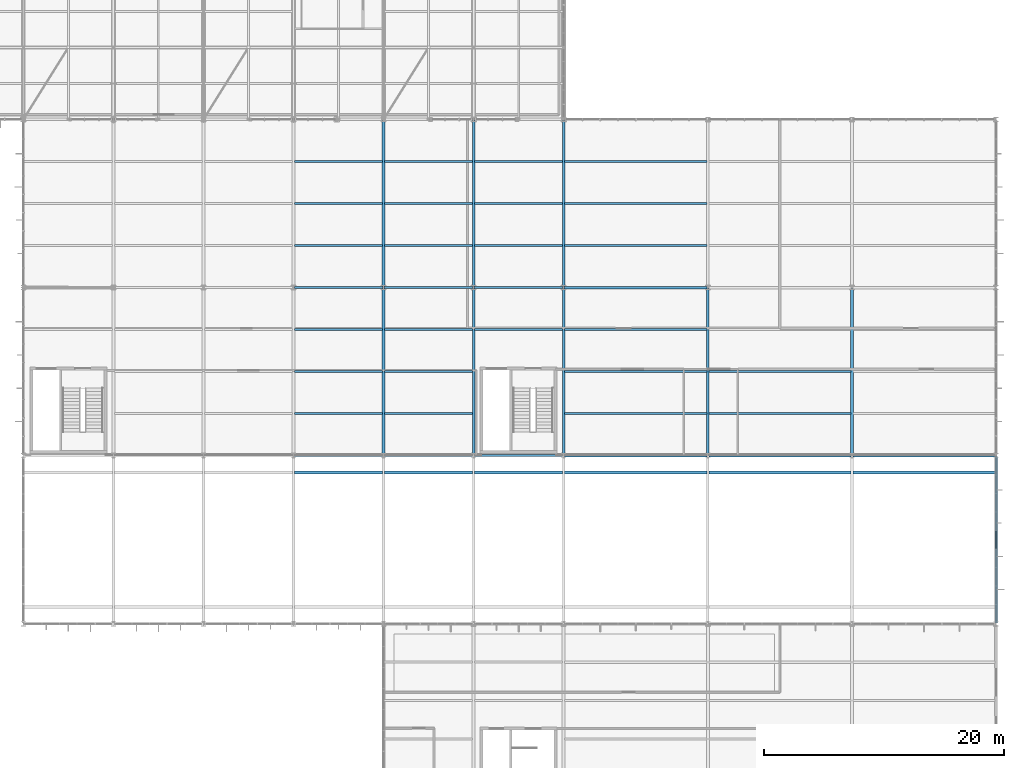
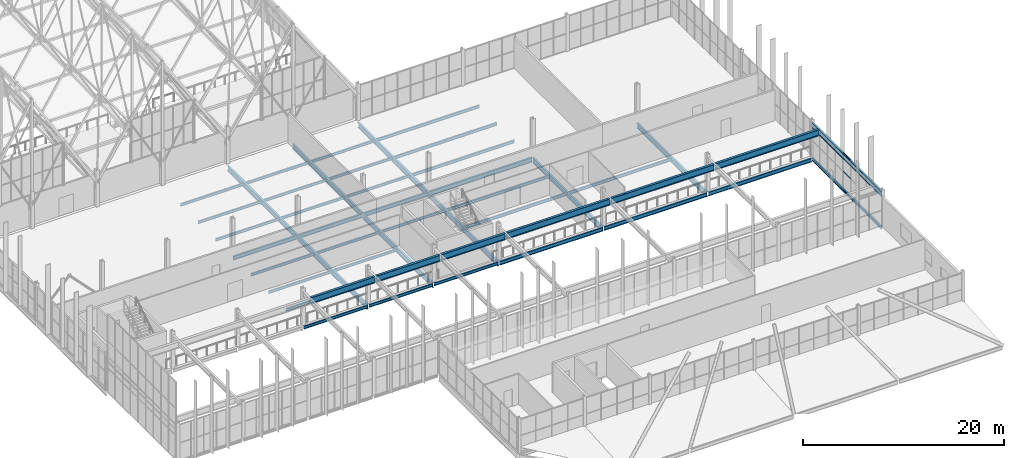
# One storey, part 200 of 324: 50 beams, 3 members, 1 element without a shape of its own.
"""IFC4 building model written with IfcOpenShell, lengths in metres."""

from ifc_helpers import new_model, si_unit, direction, frame, origin, origin_2d, place, context, subcontext, project, spatial, hollow_rectangle, i_section, extrude, material, layer, layer_set, material_profile, profile_set, type_object, element, aggregate, save


model = new_model("IFC4")

# Units and contexts
model_context = context("Model", 3, precision=1e-05, world=origin(), true_north=direction((0.0, 1.0)))
body_context = subcontext(model_context, "Body", "Model", "MODEL_VIEW")
ifc_project = project(units=[si_unit("LENGTHUNIT", "METRE"), si_unit("AREAUNIT", "SQUARE_METRE"), si_unit("VOLUMEUNIT", "CUBIC_METRE"), si_unit("PLANEANGLEUNIT", "RADIAN"), si_unit("MASSUNIT", "GRAM", prefix="KILO")], contexts=[model_context])

# Site, building, storey
site_placement = place(None, origin())
site = spatial("IfcSite", under=ifc_project, at=site_placement, CompositionType="ELEMENT")
building_placement = place(site_placement, origin())
building = spatial("IfcBuilding", under=site, at=building_placement, Name="Solvenia Promenade Tram Depot", CompositionType="ELEMENT")
storey_placement = place(building_placement, frame((0.0, 0.0, 4.5)))
storey = spatial("IfcBuildingStorey", under=building, at=storey_placement, Name="L01", CompositionType="ELEMENT", Elevation=4.5)

# Beams
ifc_material_1 = material(Name="Structural steel ASTM A992 Gr. 50", Category="steel")
ifc_material_profile_1 = material_profile(ifc_material_1, i_section(OverallWidth=0.19091796875, OverallDepth=0.4599609375, WebThickness=0.010009765625, FlangeThickness=0.01611328125, FilletRadius=0.012939453125, at=origin_2d()), Name="W460x82", Category="steel")
ifc_profile_set_1 = profile_set([ifc_material_profile_1], Name="Structural steel ASTM A992 Gr. 50")
beam_type_1 = type_object("IfcBeamType", Name="Beam-W460x82", PredefinedType="BEAM", material=ifc_profile_set_1)
for number, where, z_axis, x_axis, name in (
    (1, (127.5849609375, 52.0, -0.469970703125), (1.0, 0.0, 0.0), (0.0, 1.0, 0.0), "Primary Girder BM-L01-0132"),
    (2, (135.0849609375, 52.0, -0.469970703125), (1.0, 0.0, 0.0), (0.0, 1.0, 0.0), "Primary Girder BM-L01-0133"),
    (3, (142.5849609375, 52.0, -0.469970703125), (1.0, 0.0, 0.0), (0.0, 1.0, 0.0), "Primary Girder BM-L01-0134"),
):
    element("IfcBeam", number, at=place(storey_placement, frame(where, z_axis=z_axis, x_axis=x_axis)), inside=storey, type_object=beam_type_1, Name=name, PredefinedType="BEAM", context=body_context, shape_type="SweptSolid", body=[
        extrude(i_section(OverallWidth=0.19091796875, OverallDepth=0.4599609375, WebThickness=0.010009765625, FlangeThickness=0.01611328125, FilletRadius=0.012939453125, at=origin_2d()), origin(), (0.0, 0.0, 1.0), 7.330078125),
    ])

# Curtain wall, members
ifc_material_2 = material(Name="Anodized aluminium AW-6063 T6", Category="aluminium")
ifc_layer = layer(ifc_material_2, 0.080078125, Name="Anodized aluminium AW-6063 T6", Category="aluminium")
ifc_layer_set = layer_set([ifc_layer], Name="Anodized aluminium AW-6063 T6")
curtain_wall_type = type_object("IfcCurtainWallType", Name="CW-Clerest-1500", PredefinedType="NOTDEFINED", material=ifc_layer_set)
curtain_wall_placement = place(storey_placement, origin())
curtain_wall = element("IfcCurtainWall", 4, at=curtain_wall_placement, inside=storey, type_object=curtain_wall_type, Name="Curtain Wall CW-V2E-L1-1", PredefinedType="NOTDEFINED")
ifc_material_profile_2 = material_profile(ifc_material_2, hollow_rectangle(XDim=0.110107421875, YDim=0.054931640625, WallThickness=0.00390625, at=origin_2d()), Name="ALU-T4", Category="aluminium")
ifc_profile_set_2 = profile_set([ifc_material_profile_2], Name="Anodized aluminium AW-6063 T6")
member_type = type_object("IfcMemberType", Name="CWT-Transom-4", PredefinedType="USERDEFINED", material=ifc_profile_set_2)
member_1_placement = place(storey_placement, frame((186.0, 30.258544921875, -0.322509765625), z_axis=(0.0, 1.0, 0.0), x_axis=(-1.0, 0.0, 0.0)))
member_1 = element("IfcMember", 5, at=member_1_placement, type_object=member_type, Name="CW-4 transom 5.1", ObjectType="TRANSOM", PredefinedType="USERDEFINED", context=body_context, shape_type="SweptSolid", body=[
    extrude(hollow_rectangle(XDim=0.110107421875, YDim=0.054931640625, WallThickness=0.00390625, at=origin_2d()), origin(), (0.0, 0.0, 1.0), 1.48291015625),
])
member_2_placement = place(storey_placement, frame((186.0, 30.258544921875, 1.89990234375), z_axis=(0.0, 1.0, 0.0), x_axis=(-1.0, 0.0, 0.0)))
member_2 = element("IfcMember", 6, at=member_2_placement, type_object=member_type, Name="CW-4 transom 5.2", ObjectType="TRANSOM", PredefinedType="USERDEFINED", context=body_context, shape_type="SweptSolid", body=[
    extrude(hollow_rectangle(XDim=0.110107421875, YDim=0.054931640625, WallThickness=0.00390625, at=origin_2d()), origin(), (0.0, 0.0, 1.0), 1.48291015625),
])
member_3_placement = place(storey_placement, frame((186.0, 30.258544921875, 4.172607421875), z_axis=(0.0, 1.0, 0.0), x_axis=(-1.0, 0.0, 0.0)))
member_3 = element("IfcMember", 7, at=member_3_placement, type_object=member_type, Name="CW-4 transom 5.3", ObjectType="TRANSOM", PredefinedType="USERDEFINED", context=body_context, shape_type="SweptSolid", body=[
    extrude(hollow_rectangle(XDim=0.110107421875, YDim=0.054931640625, WallThickness=0.00390625, at=origin_2d()), origin(), (0.0, 0.0, 1.0), 1.48291015625),
])
aggregate(curtain_wall, [member_1, member_2, member_3])

# Beams
ifc_material_profile_3 = material_profile(ifc_material_1, i_section(OverallWidth=0.2099609375, OverallDepth=0.537109375, WebThickness=0.010986328125, FlangeThickness=0.017333984375, FilletRadius=0.013916015625, at=origin_2d()), Name="W530x101", Category="steel")
ifc_profile_set_3 = profile_set([ifc_material_profile_3], Name="Structural steel ASTM A992 Gr. 50")
beam_type_2 = type_object("IfcBeamType", Name="Gird-W530x101", PredefinedType="BEAM", material=ifc_profile_set_3)
beam_1_placement = place(storey_placement, frame((150.0849609375, 52.0, -0.508544921875), z_axis=(1.0, 0.0, 0.0), x_axis=(0.0, 1.0, 0.0)))
element("IfcBeam", 8, at=beam_1_placement, inside=storey, type_object=beam_type_2, Name="Primary Girder BM-L01-0135", PredefinedType="BEAM", context=body_context, shape_type="SweptSolid", body=[
    extrude(i_section(OverallWidth=0.2099609375, OverallDepth=0.537109375, WebThickness=0.010986328125, FlangeThickness=0.017333984375, FilletRadius=0.013916015625, at=origin_2d()), origin(), (0.0, 0.0, 1.0), 11.830078125),
])
ifc_material_profile_4 = material_profile(ifc_material_1, i_section(OverallWidth=0.22900390625, OverallDepth=0.612060546875, WebThickness=0.011962890625, FlangeThickness=0.01953125, FilletRadius=0.014892578125, at=origin_2d()), Name="W610x125", Category="steel")
ifc_profile_set_4 = profile_set([ifc_material_profile_4], Name="Structural steel ASTM A992 Gr. 50")
beam_type_3 = type_object("IfcBeamType", Name="Gird-W610x125", PredefinedType="BEAM", material=ifc_profile_set_4)
for number, where, z_axis, x_axis, name in (
    (9, (135.0, 38.0849609375, -0.5458984375), (0.0, 1.0, 0.0), (-1.0, 0.0, 0.0), "Transverse Girder BM-L01-0149"),
    (10, (135.0, 52.0849609375, -0.5458984375), (0.0, 1.0, 0.0), (-1.0, 0.0, 0.0), "Transverse Girder BM-L01-0150"),
    (11, (142.5, 38.0849609375, -0.5458984375), (0.0, 1.0, 0.0), (-1.0, 0.0, 0.0), "Transverse Girder BM-L01-0151"),
    (12, (142.5, 52.0849609375, -0.5458984375), (0.0, 1.0, 0.0), (-1.0, 0.0, 0.0), "Transverse Girder BM-L01-0152"),
    (13, (150.0, 38.0849609375, -0.5458984375), (0.0, 1.0, 0.0), (-1.0, 0.0, 0.0), "Transverse Girder BM-L01-0153"),
    (14, (150.0, 52.0849609375, -0.5458984375), (0.0, 1.0, 0.0), (-1.0, 0.0, 0.0), "Transverse Girder BM-L01-0154"),
    (15, (162.0, 38.0849609375, -0.5458984375), (0.0, 1.0, 0.0), (-1.0, 0.0, 0.0), "Transverse Girder BM-L01-0155"),
    (16, (174.0, 38.0849609375, -0.5458984375), (0.0, 1.0, 0.0), (-1.0, 0.0, 0.0), "Transverse Girder BM-L01-0157"),
    (17, (186.0, 24.0849609375, 3.7939453125), (0.0, 1.0, 0.0), (-1.0, 0.0, 0.0), "Crane Hall Cross Bearer BM-L01-0915"),
):
    element("IfcBeam", number, at=place(storey_placement, frame(where, z_axis=z_axis, x_axis=x_axis)), inside=storey, type_object=beam_type_3, Name=name, PredefinedType="BEAM", context=body_context, shape_type="SweptSolid", body=[
        extrude(i_section(OverallWidth=0.22900390625, OverallDepth=0.612060546875, WebThickness=0.011962890625, FlangeThickness=0.01953125, FilletRadius=0.014892578125, at=origin_2d()), origin(), (0.0, 0.0, 1.0), 13.830078125),
    ])
ifc_material_profile_5 = material_profile(ifc_material_1, i_section(OverallWidth=0.26708984375, OverallDepth=0.761962890625, WebThickness=0.014404296875, FlangeThickness=0.021484375, FilletRadius=0.01806640625, at=origin_2d()), Name="W760x173", Category="steel")
ifc_profile_set_5 = profile_set([ifc_material_profile_5], Name="Structural steel ASTM A992 Gr. 50")
beam_type_4 = type_object("IfcBeamType", Name="Gird-W760x173", PredefinedType="BEAM", material=ifc_profile_set_5)
for number, where, z_axis, x_axis, name in (
    (18, (127.5849609375, 36.60009765625, 3.718994140625), (1.0, 0.0, 0.0), (0.0, 1.0, 0.0), "Bridge Crane Runway Girder BM-L01-0928"),
    (19, (135.0849609375, 36.60009765625, 3.718994140625), (1.0, 0.0, 0.0), (0.0, 1.0, 0.0), "Bridge Crane Runway Girder BM-L01-0929"),
    (20, (142.5849609375, 36.60009765625, 3.718994140625), (1.0, 0.0, 0.0), (0.0, 1.0, 0.0), "Bridge Crane Runway Girder BM-L01-0930"),
):
    element("IfcBeam", number, at=place(storey_placement, frame(where, z_axis=z_axis, x_axis=x_axis)), inside=storey, type_object=beam_type_4, Name=name, PredefinedType="BEAM", context=body_context, shape_type="SweptSolid", body=[
        extrude(i_section(OverallWidth=0.26708984375, OverallDepth=0.761962890625, WebThickness=0.014404296875, FlangeThickness=0.021484375, FilletRadius=0.01806640625, at=origin_2d()), origin(), (0.0, 0.0, 1.0), 7.330078125),
    ])
for number, where, z_axis, x_axis, name in (
    (21, (150.0849609375, 36.60009765625, 3.718994140625), (1.0, 0.0, 0.0), (0.0, 1.0, 0.0), "Bridge Crane Runway Girder BM-L01-0931"),
    (22, (162.0849609375, 36.60009765625, 3.718994140625), (1.0, 0.0, 0.0), (0.0, 1.0, 0.0), "Bridge Crane Runway Girder BM-L01-0932"),
    (23, (174.0849609375, 36.60009765625, 3.718994140625), (1.0, 0.0, 0.0), (0.0, 1.0, 0.0), "Bridge Crane Runway Girder BM-L01-0933"),
):
    element("IfcBeam", number, at=place(storey_placement, frame(where, z_axis=z_axis, x_axis=x_axis)), inside=storey, type_object=beam_type_4, Name=name, PredefinedType="BEAM", context=body_context, shape_type="SweptSolid", body=[
        extrude(i_section(OverallWidth=0.26708984375, OverallDepth=0.761962890625, WebThickness=0.014404296875, FlangeThickness=0.021484375, FilletRadius=0.01806640625, at=origin_2d()), origin(), (0.0, 0.0, 1.0), 11.830078125),
    ])
ifc_material_profile_6 = material_profile(ifc_material_1, i_section(OverallWidth=0.166015625, OverallDepth=0.31298828125, WebThickness=0.006591796875, FlangeThickness=0.01123046875, FilletRadius=0.010009765625, at=origin_2d()), Name="W310x45", Category="steel")
ifc_profile_set_6 = profile_set([ifc_material_profile_6], Name="Structural steel ASTM A992 Gr. 50")
beam_type_5 = type_object("IfcBeamType", Name="Joist-W310x45", PredefinedType="JOIST", material=ifc_profile_set_6)
for number, where, z_axis, x_axis, name in (
    (24, (127.5849609375, 41.5, -0.396484375), (1.0, 0.0, 0.0), (0.0, 1.0, 0.0), "Secondary Floor Joist BM-L01-0177"),
    (25, (127.5849609375, 45.0, -0.396484375), (1.0, 0.0, 0.0), (0.0, 1.0, 0.0), "Secondary Floor Joist BM-L01-0178"),
    (26, (127.5849609375, 48.5, -0.396484375), (1.0, 0.0, 0.0), (0.0, 1.0, 0.0), "Secondary Floor Joist BM-L01-0179"),
    (27, (127.5849609375, 55.5, -0.396484375), (1.0, 0.0, 0.0), (0.0, 1.0, 0.0), "Secondary Floor Joist BM-L01-0180"),
    (28, (127.5849609375, 59.0, -0.396484375), (1.0, 0.0, 0.0), (0.0, 1.0, 0.0), "Secondary Floor Joist BM-L01-0181"),
    (29, (127.5849609375, 62.5, -0.396484375), (1.0, 0.0, 0.0), (0.0, 1.0, 0.0), "Secondary Floor Joist BM-L01-0182"),
    (30, (135.0849609375, 41.5, -0.396484375), (1.0, 0.0, 0.0), (0.0, 1.0, 0.0), "Secondary Floor Joist BM-L01-0183"),
    (31, (135.0849609375, 45.0, -0.396484375), (1.0, 0.0, 0.0), (0.0, 1.0, 0.0), "Secondary Floor Joist BM-L01-0184"),
    (32, (135.0849609375, 48.5, -0.396484375), (1.0, 0.0, 0.0), (0.0, 1.0, 0.0), "Secondary Floor Joist BM-L01-0185"),
    (33, (135.0849609375, 55.5, -0.396484375), (1.0, 0.0, 0.0), (0.0, 1.0, 0.0), "Secondary Floor Joist BM-L01-0186"),
    (34, (135.0849609375, 59.0, -0.396484375), (1.0, 0.0, 0.0), (0.0, 1.0, 0.0), "Secondary Floor Joist BM-L01-0187"),
    (35, (135.0849609375, 62.5, -0.396484375), (1.0, 0.0, 0.0), (0.0, 1.0, 0.0), "Secondary Floor Joist BM-L01-0188"),
    (36, (142.5849609375, 48.5, -0.396484375), (1.0, 0.0, 0.0), (0.0, 1.0, 0.0), "Secondary Floor Joist BM-L01-0189"),
    (37, (142.5849609375, 55.5, -0.396484375), (1.0, 0.0, 0.0), (0.0, 1.0, 0.0), "Secondary Floor Joist BM-L01-0190"),
    (38, (142.5849609375, 59.0, -0.396484375), (1.0, 0.0, 0.0), (0.0, 1.0, 0.0), "Secondary Floor Joist BM-L01-0191"),
    (39, (142.5849609375, 62.5, -0.396484375), (1.0, 0.0, 0.0), (0.0, 1.0, 0.0), "Secondary Floor Joist BM-L01-0192"),
):
    element("IfcBeam", number, at=place(storey_placement, frame(where, z_axis=z_axis, x_axis=x_axis)), inside=storey, type_object=beam_type_5, Name=name, PredefinedType="JOIST", context=body_context, shape_type="SweptSolid", body=[
        extrude(i_section(OverallWidth=0.166015625, OverallDepth=0.31298828125, WebThickness=0.006591796875, FlangeThickness=0.01123046875, FilletRadius=0.010009765625, at=origin_2d()), origin(), (0.0, 0.0, 1.0), 7.330078125),
    ])
ifc_material_profile_7 = material_profile(ifc_material_1, i_section(OverallWidth=0.172119140625, OverallDepth=0.35791015625, WebThickness=0.0078125, FlangeThickness=0.01318359375, FilletRadius=0.010986328125, at=origin_2d()), Name="W360x57", Category="steel")
ifc_profile_set_7 = profile_set([ifc_material_profile_7], Name="Structural steel ASTM A992 Gr. 50")
beam_type_6 = type_object("IfcBeamType", Name="Joist-W360x57", PredefinedType="JOIST", material=ifc_profile_set_7)
for number, where, z_axis, x_axis, name in (
    (40, (150.0849609375, 41.5, -0.4189453125), (1.0, 0.0, 0.0), (0.0, 1.0, 0.0), "Secondary Floor Joist BM-L01-0193"),
    (41, (150.0849609375, 45.0, -0.4189453125), (1.0, 0.0, 0.0), (0.0, 1.0, 0.0), "Secondary Floor Joist BM-L01-0194"),
    (42, (150.0849609375, 48.5, -0.4189453125), (1.0, 0.0, 0.0), (0.0, 1.0, 0.0), "Secondary Floor Joist BM-L01-0195"),
    (43, (150.0849609375, 55.5, -0.4189453125), (1.0, 0.0, 0.0), (0.0, 1.0, 0.0), "Secondary Floor Joist BM-L01-0196"),
    (44, (150.0849609375, 59.0, -0.4189453125), (1.0, 0.0, 0.0), (0.0, 1.0, 0.0), "Secondary Floor Joist BM-L01-0197"),
    (45, (150.0849609375, 62.5, -0.4189453125), (1.0, 0.0, 0.0), (0.0, 1.0, 0.0), "Secondary Floor Joist BM-L01-0198"),
    (46, (162.0849609375, 41.5, -0.4189453125), (1.0, 0.0, 0.0), (0.0, 1.0, 0.0), "Secondary Floor Joist BM-L01-0199"),
    (47, (162.0849609375, 45.0, -0.4189453125), (1.0, 0.0, 0.0), (0.0, 1.0, 0.0), "Secondary Floor Joist BM-L01-0200"),
):
    element("IfcBeam", number, at=place(storey_placement, frame(where, z_axis=z_axis, x_axis=x_axis)), inside=storey, type_object=beam_type_6, Name=name, PredefinedType="JOIST", context=body_context, shape_type="SweptSolid", body=[
        extrude(i_section(OverallWidth=0.172119140625, OverallDepth=0.35791015625, WebThickness=0.0078125, FlangeThickness=0.01318359375, FilletRadius=0.010986328125, at=origin_2d()), origin(), (0.0, 0.0, 1.0), 11.830078125),
    ])
ifc_material_profile_8 = material_profile(ifc_material_1, i_section(OverallWidth=0.172119140625, OverallDepth=0.35791015625, WebThickness=0.0078125, FlangeThickness=0.01318359375, FilletRadius=0.010986328125, at=origin_2d()), Name="W360x57", Category="steel")
ifc_profile_set_8 = profile_set([ifc_material_profile_8], Name="Structural steel ASTM A992 Gr. 50")
beam_type_7 = type_object("IfcBeamType", Name="Spandrel-W360x57", PredefinedType="SPANDREL", material=ifc_profile_set_8)
for number, where, z_axis, x_axis, name in (
    (48, (127.5849609375, 38.0, -0.4189453125), (1.0, 0.0, 0.0), (0.0, 1.0, 0.0), "Perimeter Spandrel BM-L01-0123"),
    (49, (135.0849609375, 38.0, -0.4189453125), (1.0, 0.0, 0.0), (0.0, 1.0, 0.0), "Perimeter Spandrel BM-L01-0124"),
    (50, (142.5849609375, 38.0, -0.4189453125), (1.0, 0.0, 0.0), (0.0, 1.0, 0.0), "Perimeter Spandrel BM-L01-0125"),
):
    element("IfcBeam", number, at=place(storey_placement, frame(where, z_axis=z_axis, x_axis=x_axis)), inside=storey, type_object=beam_type_7, Name=name, PredefinedType="SPANDREL", context=body_context, shape_type="SweptSolid", body=[
        extrude(i_section(OverallWidth=0.172119140625, OverallDepth=0.35791015625, WebThickness=0.0078125, FlangeThickness=0.01318359375, FilletRadius=0.010986328125, at=origin_2d()), origin(), (0.0, 0.0, 1.0), 7.330078125),
    ])
beam_2_placement = place(storey_placement, frame((186.0, 24.0849609375, -0.3291015625), z_axis=(0.0, 1.0, 0.0), x_axis=(-1.0, 0.0, 0.0)))
element("IfcBeam", 51, at=beam_2_placement, inside=storey, type_object=beam_type_7, Name="East Workshop L01 Facade Girt BM-L01-0996", PredefinedType="SPANDREL", context=body_context, shape_type="SweptSolid", body=[
    extrude(i_section(OverallWidth=0.172119140625, OverallDepth=0.35791015625, WebThickness=0.0078125, FlangeThickness=0.01318359375, FilletRadius=0.010986328125, at=origin_2d()), origin(), (0.0, 0.0, 1.0), 13.830078125),
])
ifc_material_profile_9 = material_profile(ifc_material_1, i_section(OverallWidth=0.19091796875, OverallDepth=0.4599609375, WebThickness=0.010009765625, FlangeThickness=0.01611328125, FilletRadius=0.012939453125, at=origin_2d()), Name="W460x82", Category="steel")
ifc_profile_set_9 = profile_set([ifc_material_profile_9], Name="Structural steel ASTM A992 Gr. 50")
beam_type_8 = type_object("IfcBeamType", Name="Spandrel-W460x82", PredefinedType="SPANDREL", material=ifc_profile_set_9)
for number, where, z_axis, x_axis, name in (
    (52, (150.0849609375, 38.0, -0.469970703125), (1.0, 0.0, 0.0), (0.0, 1.0, 0.0), "Perimeter Spandrel BM-L01-0126"),
    (53, (162.0849609375, 38.0, -0.469970703125), (1.0, 0.0, 0.0), (0.0, 1.0, 0.0), "Perimeter Spandrel BM-L01-0127"),
    (54, (174.0849609375, 38.0, -0.469970703125), (1.0, 0.0, 0.0), (0.0, 1.0, 0.0), "Perimeter Spandrel BM-L01-0128"),
):
    element("IfcBeam", number, at=place(storey_placement, frame(where, z_axis=z_axis, x_axis=x_axis)), inside=storey, type_object=beam_type_8, Name=name, PredefinedType="SPANDREL", context=body_context, shape_type="SweptSolid", body=[
        extrude(i_section(OverallWidth=0.19091796875, OverallDepth=0.4599609375, WebThickness=0.010009765625, FlangeThickness=0.01611328125, FilletRadius=0.012939453125, at=origin_2d()), origin(), (0.0, 0.0, 1.0), 11.830078125),
    ])

save(model, "model.ifc")
